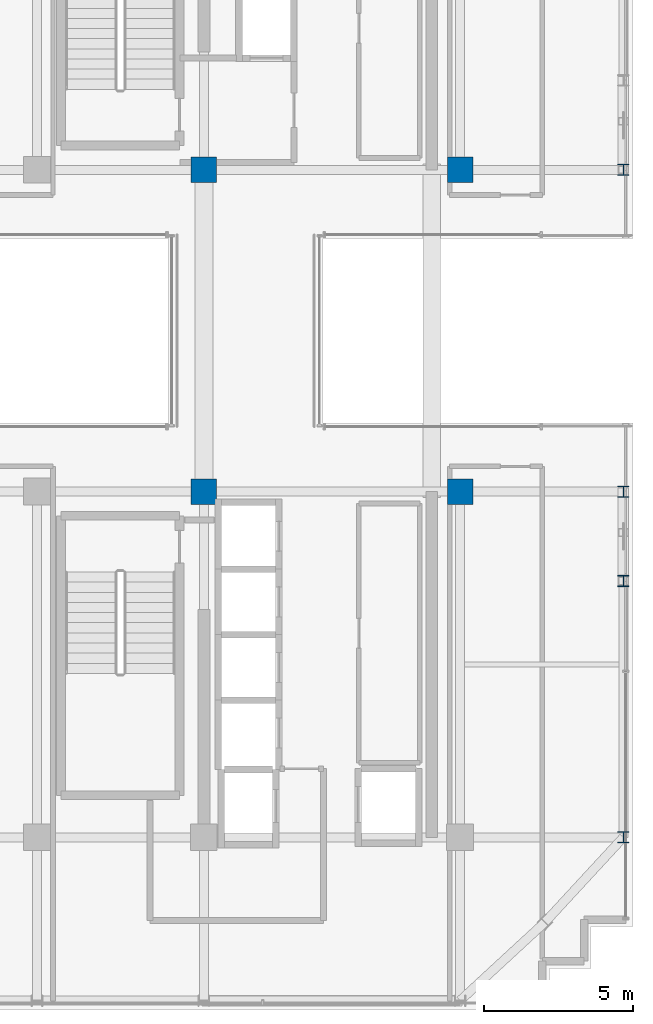
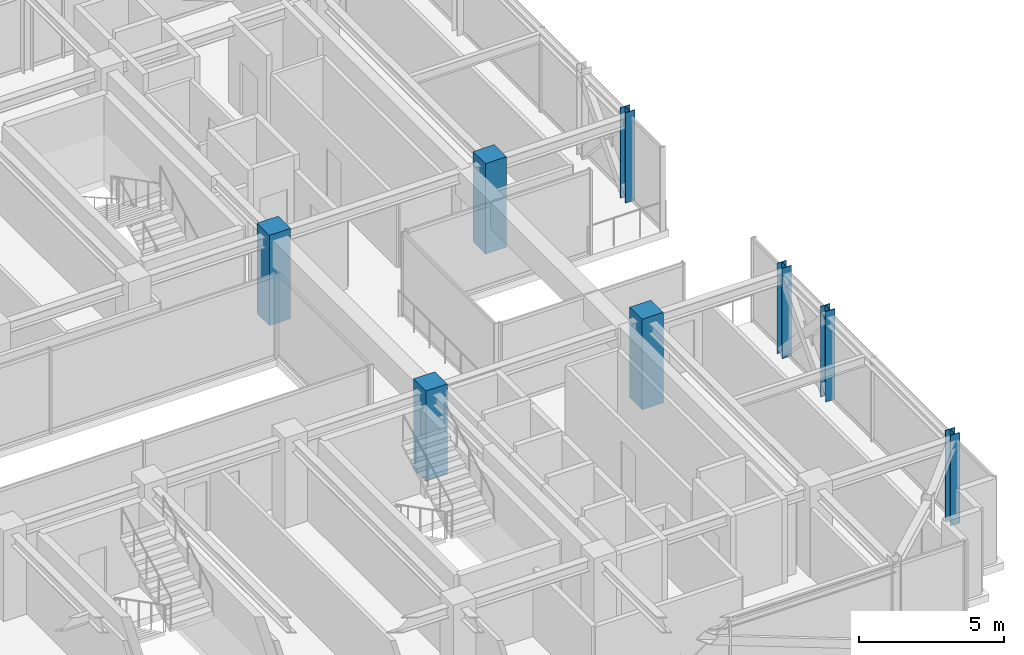
# One storey, part 2 of 37: 8 columns.
"""IFC4 building model written with IfcOpenShell, lengths in metres."""

from ifc_helpers import new_model, si_unit, direction, frame, origin, origin_2d, place, context, subcontext, project, spatial, rectangle, i_section, extrude, source, transform, mapped, material, material_profile, profile_set, type_object, element, save


model = new_model("IFC4")

# Units and contexts
model_context = context("Model", 3, precision=1e-05, world=origin(), true_north=direction((0.0, 1.0)))
body_context = subcontext(model_context, "Body", "Model", "MODEL_VIEW")
ifc_project = project(units=[si_unit("LENGTHUNIT", "METRE"), si_unit("AREAUNIT", "SQUARE_METRE"), si_unit("VOLUMEUNIT", "CUBIC_METRE"), si_unit("PLANEANGLEUNIT", "RADIAN"), si_unit("MASSUNIT", "GRAM", prefix="KILO")], contexts=[model_context])

# Site, building, storey
site_placement = place(None, origin())
site = spatial("IfcSite", under=ifc_project, at=site_placement, CompositionType="ELEMENT")
building_placement = place(site_placement, origin())
building = spatial("IfcBuilding", under=site, at=building_placement, Name="Nahalor Promenade Grand Hotel", CompositionType="ELEMENT")
storey_placement = place(building_placement, frame((0.0, 0.0, 308.050048828125)))
storey = spatial("IfcBuildingStorey", under=building, at=storey_placement, Name="L79", CompositionType="ELEMENT", Elevation=308.050048828125)

# Columns
ifc_material_1 = material(Name="Concrete B-70 (C60/75)", Category="concrete")
ifc_material_profile_1 = material_profile(ifc_material_1, rectangle(XDim=0.85, YDim=0.85, at=origin_2d()), Name="RC 850x850")
ifc_profile_set_1 = profile_set([ifc_material_profile_1], Name="Concrete B-70 (C60/75)")
column_type_1 = type_object("IfcColumnType", Name="Col-Pilaster-850", PredefinedType="PILASTER", material=ifc_profile_set_1)
shared_shape_1 = source(origin(), body_context, "Body", "SweptSolid", [
    extrude(rectangle(XDim=0.85, YDim=0.85, at=origin_2d()), origin(), (0.0, 0.0, 1.0), 3.804931640625),
])
for number, where, z_axis, x_axis, name in (
    (1, (8.39990234375, -5.39990234375, 0.0), (0.0, 0.0, 1.0), (1.0, 0.0, 0.0), "COL-L79-I41"),
    (2, (8.39990234375, 5.39990234375, 0.0), (0.0, 0.0, 1.0), (1.0, 0.0, 0.0), "COL-L79-I42"),
    (3, (17.0, -5.39990234375, 0.0), (0.0, 0.0, 1.0), (1.0, 0.0, 0.0), "COL-L79-I51"),
    (4, (17.0, 5.39990234375, 0.0), (0.0, 0.0, 1.0), (1.0, 0.0, 0.0), "COL-L79-I52"),
):
    element("IfcColumn", number, at=place(storey_placement, frame(where, z_axis=z_axis, x_axis=x_axis)), inside=storey, type_object=column_type_1, Name=name, PredefinedType="PILASTER", context=body_context, shape_type="MappedRepresentation", body=[
        mapped(shared_shape_1, transform((0.0, 0.0, 0.0), scale=1.0)),
    ])
ifc_material_2 = material(Name="Steel S355JR", Category="steel")
ifc_material_profile_2 = material_profile(ifc_material_2, i_section(OverallWidth=0.374, OverallDepth=0.374, WebThickness=0.0144, FlangeThickness=0.0229, at=origin_2d()), Name="HD 360x262")
ifc_profile_set_2 = profile_set([ifc_material_profile_2], Name="Steel S355JR")
column_type_2 = type_object("IfcColumnType", Name="Col-Steel-HD262", PredefinedType="COLUMN", material=ifc_profile_set_2)
shared_shape_2 = source(origin(), body_context, "Body", "SweptSolid", [
    extrude(i_section(OverallWidth=0.374, OverallDepth=0.374, WebThickness=0.0144, FlangeThickness=0.0229, at=origin_2d()), origin(), (0.0, 0.0, 1.0), 3.804931640625),
])
for number, where, z_axis, x_axis, name in (
    (5, (22.47998046875, -17.0, 0.0), (0.0, 0.0, 1.0), (1.0, 0.0, 0.0), "COL-L79-PW-E0"),
    (6, (22.47998046875, -8.39990234375, 0.0), (0.0, 0.0, 1.0), (1.0, 0.0, 0.0), "COL-L79-PW-E1"),
    (7, (22.47998046875, -5.39990234375, 0.0), (0.0, 0.0, 1.0), (1.0, 0.0, 0.0), "COL-L79-PW-E2"),
    (8, (22.47998046875, 5.39990234375, 0.0), (0.0, 0.0, 1.0), (1.0, 0.0, 0.0), "COL-L79-PW-E3"),
):
    element("IfcColumn", number, at=place(storey_placement, frame(where, z_axis=z_axis, x_axis=x_axis)), inside=storey, type_object=column_type_2, Name=name, PredefinedType="COLUMN", context=body_context, shape_type="MappedRepresentation", body=[
        mapped(shared_shape_2, transform((0.0, 0.0, 0.0), scale=1.0)),
    ])

save(model, "model.ifc")
